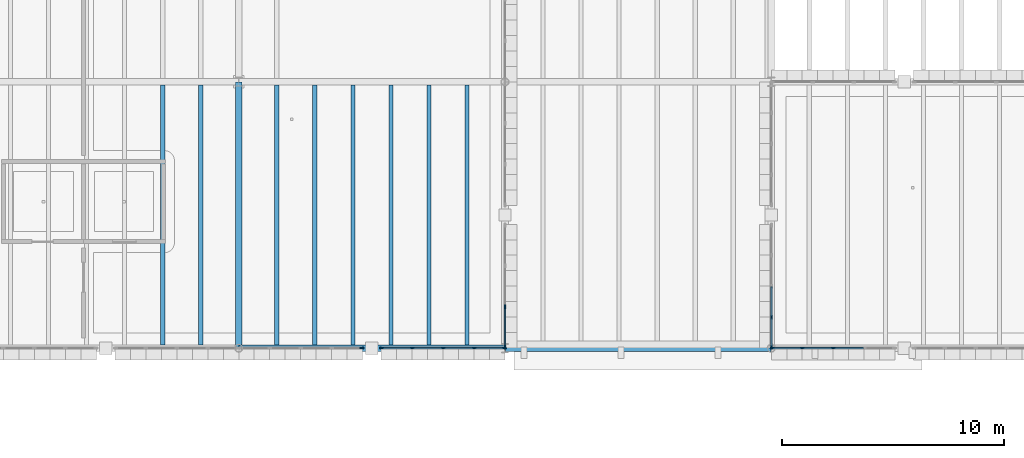
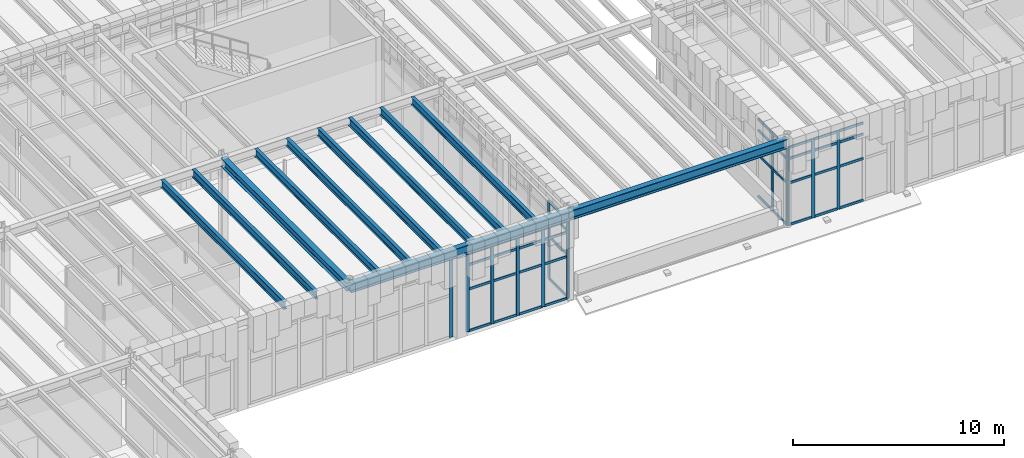
# One storey, part 21 of 100: 53 members, 11 beams, 5 elements without a shape of their own.
"""IFC4 building model written with IfcOpenShell, lengths in metres."""

from ifc_helpers import new_model, si_unit, direction, frame, origin, origin_2d, place, context, subcontext, project, spatial, rectangle, i_section, extrude, material, layer, layer_set, material_profile, profile_set, type_object, element, aggregate, save


model = new_model("IFC4")

# Units and contexts
model_context = context("Model", 3, precision=1e-05, world=origin(), true_north=direction((0.0, 1.0)))
body_context = subcontext(model_context, "Body", "Model", "MODEL_VIEW")
ifc_project = project(units=[si_unit("LENGTHUNIT", "METRE"), si_unit("AREAUNIT", "SQUARE_METRE"), si_unit("VOLUMEUNIT", "CUBIC_METRE"), si_unit("PLANEANGLEUNIT", "RADIAN"), si_unit("MASSUNIT", "GRAM", prefix="KILO")], contexts=[model_context])

# Site, building, storey
site_placement = place(None, origin())
site = spatial("IfcSite", under=ifc_project, at=site_placement, CompositionType="ELEMENT")
building_placement = place(site_placement, origin())
building = spatial("IfcBuilding", under=site, at=building_placement, Name="Zlatogorsky Bluff Art Gallery", CompositionType="ELEMENT")
storey_placement = place(building_placement, frame((0.0, 0.0, 5.39990234375)))
storey = spatial("IfcBuildingStorey", under=building, at=storey_placement, Name="L01", CompositionType="ELEMENT", Elevation=5.39990234375)

# Beams
ifc_material_1 = material(Name="Steel S355", Category="steel")
ifc_material_profile_1 = material_profile(ifc_material_1, i_section(OverallWidth=0.300048828125, OverallDepth=0.5400390625, WebThickness=0.012451171875, FlangeThickness=0.02392578125, FilletRadius=0.027099609375, at=origin_2d()), Name="HEA 550")
ifc_profile_set_1 = profile_set([ifc_material_profile_1], Name="Steel S355")
beam_type_1 = type_object("IfcBeamType", Name="Beam BM-06 HEA 550", PredefinedType="BEAM", material=ifc_profile_set_1)
for number, where, z_axis, x_axis, name in (
    (1, (36.014892578125, 84.0, 4.840087890625), (1.0, 0.0, 0.0), (0.0, 1.0, 0.0), "Primary girder BM-06 L01 D-E/9"),
    (2, (48.014892578125, 84.0, 4.840087890625), (1.0, 0.0, 0.0), (0.0, 1.0, 0.0), "Primary girder BM-06 L01 E-F/9"),
):
    element("IfcBeam", number, at=place(storey_placement, frame(where, z_axis=z_axis, x_axis=x_axis)), inside=storey, type_object=beam_type_1, Name=name, PredefinedType="BEAM", context=body_context, shape_type="SweptSolid", body=[
        extrude(i_section(OverallWidth=0.300048828125, OverallDepth=0.5400390625, WebThickness=0.012451171875, FlangeThickness=0.02392578125, FilletRadius=0.027099609375, at=origin_2d()), origin(), (0.0, 0.0, 1.0), 11.97021484375),
    ])
ifc_material_profile_2 = material_profile(ifc_material_1, i_section(OverallWidth=0.300048828125, OverallDepth=0.489990234375, WebThickness=0.011962890625, FlangeThickness=0.02294921875, FilletRadius=0.027099609375, at=origin_2d()), Name="HEA 500")
ifc_profile_set_2 = profile_set([ifc_material_profile_2], Name="Steel S355")
beam_type_2 = type_object("IfcBeamType", Name="Beam BM-07 HEA 500", PredefinedType="BEAM", material=ifc_profile_set_2)
beam_placement = place(storey_placement, frame((36.0, 84.014892578125, 4.864990234375), z_axis=(0.0, 1.0, 0.0), x_axis=(-1.0, 0.0, 0.0)))
element("IfcBeam", 3, at=beam_placement, inside=storey, type_object=beam_type_2, Name="Primary girder BM-07 L01 D/9-10", PredefinedType="BEAM", context=body_context, shape_type="SweptSolid", body=[
    extrude(i_section(OverallWidth=0.300048828125, OverallDepth=0.489990234375, WebThickness=0.011962890625, FlangeThickness=0.02294921875, FilletRadius=0.027099609375, at=origin_2d()), origin(), (0.0, 0.0, 1.0), 11.97021484375),
])
ifc_material_profile_3 = material_profile(ifc_material_1, i_section(OverallWidth=0.18994140625, OverallDepth=0.449951171875, WebThickness=0.009521484375, FlangeThickness=0.0146484375, FilletRadius=0.02099609375, at=origin_2d()), Name="IPE 450")
ifc_profile_set_3 = profile_set([ifc_material_profile_3], Name="Steel S355")
beam_type_3 = type_object("IfcBeamType", Name="Beam JS-06 IPE 450", PredefinedType="JOIST", material=ifc_profile_set_3)
for number, where, z_axis, x_axis, name in (
    (4, (32.571533203125, 84.14990234375, 4.885009765625), (0.0, 1.0, 0.0), (-1.0, 0.0, 0.0), "Composite floor joist JS-06 L01 02.08.5"),
    (5, (34.28564453125, 84.14990234375, 4.885009765625), (0.0, 1.0, 0.0), (-1.0, 0.0, 0.0), "Composite floor joist JS-06 L01 02.08.6"),
    (6, (37.71435546875, 84.14990234375, 4.885009765625), (0.0, 1.0, 0.0), (-1.0, 0.0, 0.0), "Composite floor joist JS-06 L01 03.08.1"),
    (7, (39.428466796875, 84.14990234375, 4.885009765625), (0.0, 1.0, 0.0), (-1.0, 0.0, 0.0), "Composite floor joist JS-06 L01 03.08.2"),
    (8, (41.142822265625, 84.14990234375, 4.885009765625), (0.0, 1.0, 0.0), (-1.0, 0.0, 0.0), "Composite floor joist JS-06 L01 03.08.3"),
    (9, (42.857177734375, 84.14990234375, 4.885009765625), (0.0, 1.0, 0.0), (-1.0, 0.0, 0.0), "Composite floor joist JS-06 L01 03.08.4"),
    (10, (44.571533203125, 84.14990234375, 4.885009765625), (0.0, 1.0, 0.0), (-1.0, 0.0, 0.0), "Composite floor joist JS-06 L01 03.08.5"),
    (11, (46.28564453125, 84.14990234375, 4.885009765625), (0.0, 1.0, 0.0), (-1.0, 0.0, 0.0), "Composite floor joist JS-06 L01 03.08.6"),
):
    element("IfcBeam", number, at=place(storey_placement, frame(where, z_axis=z_axis, x_axis=x_axis)), inside=storey, type_object=beam_type_3, Name=name, PredefinedType="JOIST", context=body_context, shape_type="SweptSolid", body=[
        extrude(i_section(OverallWidth=0.18994140625, OverallDepth=0.449951171875, WebThickness=0.009521484375, FlangeThickness=0.0146484375, FilletRadius=0.02099609375, at=origin_2d()), origin(), (0.0, 0.0, 1.0), 11.7001953125),
    ])

# Curtain wall, member
ifc_material_2 = material(Name="Anodised Bronze Aluminium and Low-Iron Triple Glazing", Category="aluminium")
ifc_layer_1 = layer(ifc_material_2, 0.199951171875)
ifc_layer_set_1 = layer_set([ifc_layer_1], Name="Curtain Wall CW-02")
curtain_wall_type_1 = type_object("IfcCurtainWallType", Name="Curtain Wall CW-02", PredefinedType="USERDEFINED", material=ifc_layer_set_1)
curtain_wall_1_placement = place(storey_placement, origin())
curtain_wall_1 = element("IfcCurtainWall", 12, at=curtain_wall_1_placement, inside=storey, type_object=curtain_wall_type_1, Name="Unitised curtain wall CW-02 L01 S 3.8-A", ObjectType="CURTAIN WALL", PredefinedType="USERDEFINED")
ifc_material_3 = material(Name="Anodised Bronze Aluminium", Category="aluminium")
ifc_material_profile_4 = material_profile(ifc_material_3, rectangle(XDim=0.06494140625, YDim=0.179931640625, at=origin_2d()), Name="ALU MULLION 65x180")
ifc_profile_set_4 = profile_set([ifc_material_profile_4], Name="Anodised Bronze Aluminium")
member_type_1 = type_object("IfcMemberType", Name="Curtain Mullion ML-01", PredefinedType="MULLION", material=ifc_profile_set_4)
member_1_placement = place(storey_placement, frame((41.547607421875, 84.0, 0.0), z_axis=(0.0, 0.0, 1.0), x_axis=(0.0, 1.0, 0.0)))
member_1 = element("IfcMember", 13, at=member_1_placement, type_object=member_type_1, Name="CW-02 mullion 5", PredefinedType="MULLION", context=body_context, shape_type="SweptSolid", body=[
    extrude(rectangle(XDim=0.06494140625, YDim=0.179931640625, at=origin_2d()), origin(), (0.0, 0.0, 1.0), 4.530029296875),
])
aggregate(curtain_wall_1, [member_1])

# Curtain wall, members
curtain_wall_2_placement = place(storey_placement, origin())
curtain_wall_2 = element("IfcCurtainWall", 14, at=curtain_wall_2_placement, inside=storey, type_object=curtain_wall_type_1, Name="Unitised curtain wall CW-02 L01 S 3.8-B", ObjectType="CURTAIN WALL", PredefinedType="USERDEFINED")
member_2_placement = place(storey_placement, frame((42.452392578125, 84.0, 0.0), z_axis=(0.0, 0.0, 1.0), x_axis=(0.0, 1.0, 0.0)))
member_2 = element("IfcMember", 15, at=member_2_placement, type_object=member_type_1, Name="CW-02 mullion 1", PredefinedType="MULLION", context=body_context, shape_type="SweptSolid", body=[
    extrude(rectangle(XDim=0.06494140625, YDim=0.179931640625, at=origin_2d()), origin(), (0.0, 0.0, 1.0), 4.530029296875),
])
member_3_placement = place(storey_placement, frame((43.81494140625, 84.0, 0.0), z_axis=(0.0, 0.0, 1.0), x_axis=(0.0, 1.0, 0.0)))
member_3 = element("IfcMember", 16, at=member_3_placement, type_object=member_type_1, Name="CW-02 mullion 2", PredefinedType="MULLION", context=body_context, shape_type="SweptSolid", body=[
    extrude(rectangle(XDim=0.06494140625, YDim=0.179931640625, at=origin_2d()), origin(), (0.0, 0.0, 1.0), 4.530029296875),
])
member_4_placement = place(storey_placement, frame((45.2099609375, 84.0, 0.0), z_axis=(0.0, 0.0, 1.0), x_axis=(0.0, 1.0, 0.0)))
member_4 = element("IfcMember", 17, at=member_4_placement, type_object=member_type_1, Name="CW-02 mullion 3", PredefinedType="MULLION", context=body_context, shape_type="SweptSolid", body=[
    extrude(rectangle(XDim=0.06494140625, YDim=0.179931640625, at=origin_2d()), origin(), (0.0, 0.0, 1.0), 4.530029296875),
])
member_5_placement = place(storey_placement, frame((46.60498046875, 84.0, 0.0), z_axis=(0.0, 0.0, 1.0), x_axis=(0.0, 1.0, 0.0)))
member_5 = element("IfcMember", 18, at=member_5_placement, type_object=member_type_1, Name="CW-02 mullion 4", PredefinedType="MULLION", context=body_context, shape_type="SweptSolid", body=[
    extrude(rectangle(XDim=0.06494140625, YDim=0.179931640625, at=origin_2d()), origin(), (0.0, 0.0, 1.0), 4.530029296875),
])
member_6_placement = place(storey_placement, frame((47.967529296875, 84.0, 0.0), z_axis=(0.0, 0.0, 1.0), x_axis=(0.0, 1.0, 0.0)))
member_6 = element("IfcMember", 19, at=member_6_placement, type_object=member_type_1, Name="CW-02 mullion 5", PredefinedType="MULLION", context=body_context, shape_type="SweptSolid", body=[
    extrude(rectangle(XDim=0.06494140625, YDim=0.179931640625, at=origin_2d()), origin(), (0.0, 0.0, 1.0), 4.530029296875),
])

ifc_layer_2 = layer(ifc_material_2, 0.219970703125)
ifc_layer_set_2 = layer_set([ifc_layer_2], Name="Curtain Wall CW-04")
curtain_wall_type_2 = type_object("IfcCurtainWallType", Name="Curtain Wall CW-04", PredefinedType="USERDEFINED", material=ifc_layer_set_2)
curtain_wall_3_placement = place(storey_placement, origin())
curtain_wall_3 = element("IfcCurtainWall", 20, at=curtain_wall_3_placement, inside=storey, type_object=curtain_wall_type_2, Name="Unitised curtain wall CW-04 L01 E 3.8-A", ObjectType="CURTAIN WALL", PredefinedType="USERDEFINED")
member_7_placement = place(storey_placement, frame((48.0, 84.032470703125, 0.0), z_axis=(0.0, 0.0, 1.0), x_axis=(-1.0, 0.0, 0.0)))
member_7 = element("IfcMember", 21, at=member_7_placement, type_object=member_type_1, Name="CW-04 mullion 1", PredefinedType="MULLION", context=body_context, shape_type="SweptSolid", body=[
    extrude(rectangle(XDim=0.06494140625, YDim=0.179931640625, at=origin_2d()), origin(), (0.0, 0.0, 1.0), 4.530029296875),
])
member_8_placement = place(storey_placement, frame((48.0, 85.860107421875, 0.0), z_axis=(0.0, 0.0, 1.0), x_axis=(-1.0, 0.0, 0.0)))
member_8 = element("IfcMember", 22, at=member_8_placement, type_object=member_type_1, Name="CW-04 mullion 2", PredefinedType="MULLION", context=body_context, shape_type="SweptSolid", body=[
    extrude(rectangle(XDim=0.06494140625, YDim=0.179931640625, at=origin_2d()), origin(), (0.0, 0.0, 1.0), 4.530029296875),
])

curtain_wall_4_placement = place(storey_placement, origin())
curtain_wall_4 = element("IfcCurtainWall", 23, at=curtain_wall_4_placement, inside=storey, type_object=curtain_wall_type_1, Name="Unitised curtain wall CW-02 L01 S 5.8-A", ObjectType="CURTAIN WALL", PredefinedType="USERDEFINED")
member_9_placement = place(storey_placement, frame((60.032470703125, 84.0, 0.0), z_axis=(0.0, 0.0, 1.0), x_axis=(0.0, 1.0, 0.0)))
member_9 = element("IfcMember", 24, at=member_9_placement, type_object=member_type_1, Name="CW-02 mullion 1", PredefinedType="MULLION", context=body_context, shape_type="SweptSolid", body=[
    extrude(rectangle(XDim=0.06494140625, YDim=0.179931640625, at=origin_2d()), origin(), (0.0, 0.0, 1.0), 4.530029296875),
])
member_10_placement = place(storey_placement, frame((61.39501953125, 84.0, 0.0), z_axis=(0.0, 0.0, 1.0), x_axis=(0.0, 1.0, 0.0)))
member_10 = element("IfcMember", 25, at=member_10_placement, type_object=member_type_1, Name="CW-02 mullion 2", PredefinedType="MULLION", context=body_context, shape_type="SweptSolid", body=[
    extrude(rectangle(XDim=0.06494140625, YDim=0.179931640625, at=origin_2d()), origin(), (0.0, 0.0, 1.0), 4.530029296875),
])
member_11_placement = place(storey_placement, frame((62.7900390625, 84.0, 0.0), z_axis=(0.0, 0.0, 1.0), x_axis=(0.0, 1.0, 0.0)))
member_11 = element("IfcMember", 26, at=member_11_placement, type_object=member_type_1, Name="CW-02 mullion 3", PredefinedType="MULLION", context=body_context, shape_type="SweptSolid", body=[
    extrude(rectangle(XDim=0.06494140625, YDim=0.179931640625, at=origin_2d()), origin(), (0.0, 0.0, 1.0), 4.530029296875),
])

curtain_wall_5_placement = place(storey_placement, origin())
curtain_wall_5 = element("IfcCurtainWall", 27, at=curtain_wall_5_placement, inside=storey, type_object=curtain_wall_type_1, Name="Unitised curtain wall CW-02 L01 W 5.8-B", ObjectType="CURTAIN WALL", PredefinedType="USERDEFINED")
member_12_placement = place(storey_placement, frame((60.0, 85.39501953125, 0.0), z_axis=(0.0, 0.0, 1.0), x_axis=(1.0, 0.0, 0.0)))
member_12 = element("IfcMember", 28, at=member_12_placement, type_object=member_type_1, Name="CW-02 mullion 4", PredefinedType="MULLION", context=body_context, shape_type="SweptSolid", body=[
    extrude(rectangle(XDim=0.06494140625, YDim=0.179931640625, at=origin_2d()), origin(), (0.0, 0.0, 1.0), 4.530029296875),
])
member_13_placement = place(storey_placement, frame((60.0, 84.032470703125, 0.0), z_axis=(0.0, 0.0, 1.0), x_axis=(1.0, 0.0, 0.0)))
member_13 = element("IfcMember", 29, at=member_13_placement, type_object=member_type_1, Name="CW-02 mullion 5", PredefinedType="MULLION", context=body_context, shape_type="SweptSolid", body=[
    extrude(rectangle(XDim=0.06494140625, YDim=0.179931640625, at=origin_2d()), origin(), (0.0, 0.0, 1.0), 4.530029296875),
])

# Member
ifc_material_profile_5 = material_profile(ifc_material_3, rectangle(XDim=0.06494140625, YDim=0.139892578125, at=origin_2d()), Name="ALU TRANSOM 65x140")
ifc_profile_set_5 = profile_set([ifc_material_profile_5], Name="Anodised Bronze Aluminium")
member_type_2 = type_object("IfcMemberType", Name="Curtain Transom TR-01", PredefinedType="USERDEFINED", material=ifc_profile_set_5)
member_14_placement = place(storey_placement, frame((42.485107421875, 84.0, 0.03271484375), z_axis=(1.0, 0.0, 0.0), x_axis=(0.0, 1.0, 0.0)))
member_14 = element("IfcMember", 30, at=member_14_placement, type_object=member_type_2, Name="CW-02 transom 1.1", ObjectType="TRANSOM", PredefinedType="USERDEFINED", context=body_context, shape_type="SweptSolid", body=[
    extrude(rectangle(XDim=0.06494140625, YDim=0.139892578125, at=origin_2d()), origin(), (0.0, 0.0, 1.0), 1.29736328125),
])

member_15_placement = place(storey_placement, frame((42.485107421875, 84.0, 2.4501953125), z_axis=(1.0, 0.0, 0.0), x_axis=(0.0, 1.0, 0.0)))
member_15 = element("IfcMember", 31, at=member_15_placement, type_object=member_type_2, Name="CW-02 transom 1.2", ObjectType="TRANSOM", PredefinedType="USERDEFINED", context=body_context, shape_type="SweptSolid", body=[
    extrude(rectangle(XDim=0.06494140625, YDim=0.139892578125, at=origin_2d()), origin(), (0.0, 0.0, 1.0), 1.29736328125),
])

member_16_placement = place(storey_placement, frame((42.485107421875, 84.0, 3.85009765625), z_axis=(1.0, 0.0, 0.0), x_axis=(0.0, 1.0, 0.0)))
member_16 = element("IfcMember", 32, at=member_16_placement, type_object=member_type_2, Name="CW-02 transom 1.3", ObjectType="TRANSOM", PredefinedType="USERDEFINED", context=body_context, shape_type="SweptSolid", body=[
    extrude(rectangle(XDim=0.06494140625, YDim=0.139892578125, at=origin_2d()), origin(), (0.0, 0.0, 1.0), 1.29736328125),
])

member_17_placement = place(storey_placement, frame((42.485107421875, 84.0, 4.49755859375), z_axis=(1.0, 0.0, 0.0), x_axis=(0.0, 1.0, 0.0)))
member_17 = element("IfcMember", 33, at=member_17_placement, type_object=member_type_2, Name="CW-02 transom 1.4", ObjectType="TRANSOM", PredefinedType="USERDEFINED", context=body_context, shape_type="SweptSolid", body=[
    extrude(rectangle(XDim=0.06494140625, YDim=0.139892578125, at=origin_2d()), origin(), (0.0, 0.0, 1.0), 1.29736328125),
])

member_18_placement = place(storey_placement, frame((43.847412109375, 84.0, 0.03271484375), z_axis=(1.0, 0.0, 0.0), x_axis=(0.0, 1.0, 0.0)))
member_18 = element("IfcMember", 34, at=member_18_placement, type_object=member_type_2, Name="CW-02 transom 2.1", ObjectType="TRANSOM", PredefinedType="USERDEFINED", context=body_context, shape_type="SweptSolid", body=[
    extrude(rectangle(XDim=0.06494140625, YDim=0.139892578125, at=origin_2d()), origin(), (0.0, 0.0, 1.0), 1.330078125),
])

member_19_placement = place(storey_placement, frame((43.847412109375, 84.0, 2.4501953125), z_axis=(1.0, 0.0, 0.0), x_axis=(0.0, 1.0, 0.0)))
member_19 = element("IfcMember", 35, at=member_19_placement, type_object=member_type_2, Name="CW-02 transom 2.2", ObjectType="TRANSOM", PredefinedType="USERDEFINED", context=body_context, shape_type="SweptSolid", body=[
    extrude(rectangle(XDim=0.06494140625, YDim=0.139892578125, at=origin_2d()), origin(), (0.0, 0.0, 1.0), 1.330078125),
])

member_20_placement = place(storey_placement, frame((43.847412109375, 84.0, 3.85009765625), z_axis=(1.0, 0.0, 0.0), x_axis=(0.0, 1.0, 0.0)))
member_20 = element("IfcMember", 36, at=member_20_placement, type_object=member_type_2, Name="CW-02 transom 2.3", ObjectType="TRANSOM", PredefinedType="USERDEFINED", context=body_context, shape_type="SweptSolid", body=[
    extrude(rectangle(XDim=0.06494140625, YDim=0.139892578125, at=origin_2d()), origin(), (0.0, 0.0, 1.0), 1.330078125),
])

member_21_placement = place(storey_placement, frame((43.847412109375, 84.0, 4.49755859375), z_axis=(1.0, 0.0, 0.0), x_axis=(0.0, 1.0, 0.0)))
member_21 = element("IfcMember", 37, at=member_21_placement, type_object=member_type_2, Name="CW-02 transom 2.4", ObjectType="TRANSOM", PredefinedType="USERDEFINED", context=body_context, shape_type="SweptSolid", body=[
    extrude(rectangle(XDim=0.06494140625, YDim=0.139892578125, at=origin_2d()), origin(), (0.0, 0.0, 1.0), 1.330078125),
])

member_22_placement = place(storey_placement, frame((45.242431640625, 84.0, 0.03271484375), z_axis=(1.0, 0.0, 0.0), x_axis=(0.0, 1.0, 0.0)))
member_22 = element("IfcMember", 38, at=member_22_placement, type_object=member_type_2, Name="CW-02 transom 3.1", ObjectType="TRANSOM", PredefinedType="USERDEFINED", context=body_context, shape_type="SweptSolid", body=[
    extrude(rectangle(XDim=0.06494140625, YDim=0.139892578125, at=origin_2d()), origin(), (0.0, 0.0, 1.0), 1.330078125),
])

member_23_placement = place(storey_placement, frame((45.242431640625, 84.0, 2.4501953125), z_axis=(1.0, 0.0, 0.0), x_axis=(0.0, 1.0, 0.0)))
member_23 = element("IfcMember", 39, at=member_23_placement, type_object=member_type_2, Name="CW-02 transom 3.2", ObjectType="TRANSOM", PredefinedType="USERDEFINED", context=body_context, shape_type="SweptSolid", body=[
    extrude(rectangle(XDim=0.06494140625, YDim=0.139892578125, at=origin_2d()), origin(), (0.0, 0.0, 1.0), 1.330078125),
])

member_24_placement = place(storey_placement, frame((45.242431640625, 84.0, 3.85009765625), z_axis=(1.0, 0.0, 0.0), x_axis=(0.0, 1.0, 0.0)))
member_24 = element("IfcMember", 40, at=member_24_placement, type_object=member_type_2, Name="CW-02 transom 3.3", ObjectType="TRANSOM", PredefinedType="USERDEFINED", context=body_context, shape_type="SweptSolid", body=[
    extrude(rectangle(XDim=0.06494140625, YDim=0.139892578125, at=origin_2d()), origin(), (0.0, 0.0, 1.0), 1.330078125),
])

member_25_placement = place(storey_placement, frame((45.242431640625, 84.0, 4.49755859375), z_axis=(1.0, 0.0, 0.0), x_axis=(0.0, 1.0, 0.0)))
member_25 = element("IfcMember", 41, at=member_25_placement, type_object=member_type_2, Name="CW-02 transom 3.4", ObjectType="TRANSOM", PredefinedType="USERDEFINED", context=body_context, shape_type="SweptSolid", body=[
    extrude(rectangle(XDim=0.06494140625, YDim=0.139892578125, at=origin_2d()), origin(), (0.0, 0.0, 1.0), 1.330078125),
])

member_26_placement = place(storey_placement, frame((46.637451171875, 84.0, 0.03271484375), z_axis=(1.0, 0.0, 0.0), x_axis=(0.0, 1.0, 0.0)))
member_26 = element("IfcMember", 42, at=member_26_placement, type_object=member_type_2, Name="CW-02 transom 4.1", ObjectType="TRANSOM", PredefinedType="USERDEFINED", context=body_context, shape_type="SweptSolid", body=[
    extrude(rectangle(XDim=0.06494140625, YDim=0.139892578125, at=origin_2d()), origin(), (0.0, 0.0, 1.0), 1.297607421875),
])

member_27_placement = place(storey_placement, frame((46.637451171875, 84.0, 2.4501953125), z_axis=(1.0, 0.0, 0.0), x_axis=(0.0, 1.0, 0.0)))
member_27 = element("IfcMember", 43, at=member_27_placement, type_object=member_type_2, Name="CW-02 transom 4.2", ObjectType="TRANSOM", PredefinedType="USERDEFINED", context=body_context, shape_type="SweptSolid", body=[
    extrude(rectangle(XDim=0.06494140625, YDim=0.139892578125, at=origin_2d()), origin(), (0.0, 0.0, 1.0), 1.297607421875),
])

member_28_placement = place(storey_placement, frame((46.637451171875, 84.0, 3.85009765625), z_axis=(1.0, 0.0, 0.0), x_axis=(0.0, 1.0, 0.0)))
member_28 = element("IfcMember", 44, at=member_28_placement, type_object=member_type_2, Name="CW-02 transom 4.3", ObjectType="TRANSOM", PredefinedType="USERDEFINED", context=body_context, shape_type="SweptSolid", body=[
    extrude(rectangle(XDim=0.06494140625, YDim=0.139892578125, at=origin_2d()), origin(), (0.0, 0.0, 1.0), 1.297607421875),
])

member_29_placement = place(storey_placement, frame((46.637451171875, 84.0, 4.49755859375), z_axis=(1.0, 0.0, 0.0), x_axis=(0.0, 1.0, 0.0)))
member_29 = element("IfcMember", 45, at=member_29_placement, type_object=member_type_2, Name="CW-02 transom 4.4", ObjectType="TRANSOM", PredefinedType="USERDEFINED", context=body_context, shape_type="SweptSolid", body=[
    extrude(rectangle(XDim=0.06494140625, YDim=0.139892578125, at=origin_2d()), origin(), (0.0, 0.0, 1.0), 1.297607421875),
])

aggregate(curtain_wall_2, [member_2, member_3, member_4, member_5, member_6, member_14, member_15, member_16, member_17, member_18, member_19, member_20, member_21, member_22, member_23, member_24, member_25, member_26, member_27, member_28, member_29])

member_30_placement = place(storey_placement, frame((48.0, 84.06494140625, 0.03271484375), z_axis=(0.0, 1.0, 0.0), x_axis=(-1.0, 0.0, 0.0)))
member_30 = element("IfcMember", 46, at=member_30_placement, type_object=member_type_2, Name="CW-04 transom 1.1", ObjectType="TRANSOM", PredefinedType="USERDEFINED", context=body_context, shape_type="SweptSolid", body=[
    extrude(rectangle(XDim=0.06494140625, YDim=0.139892578125, at=origin_2d()), origin(), (0.0, 0.0, 1.0), 1.762451171875),
])

member_31_placement = place(storey_placement, frame((48.0, 84.06494140625, 2.4501953125), z_axis=(0.0, 1.0, 0.0), x_axis=(-1.0, 0.0, 0.0)))
member_31 = element("IfcMember", 47, at=member_31_placement, type_object=member_type_2, Name="CW-04 transom 1.2", ObjectType="TRANSOM", PredefinedType="USERDEFINED", context=body_context, shape_type="SweptSolid", body=[
    extrude(rectangle(XDim=0.06494140625, YDim=0.139892578125, at=origin_2d()), origin(), (0.0, 0.0, 1.0), 1.762451171875),
])

member_32_placement = place(storey_placement, frame((48.0, 84.06494140625, 3.85009765625), z_axis=(0.0, 1.0, 0.0), x_axis=(-1.0, 0.0, 0.0)))
member_32 = element("IfcMember", 48, at=member_32_placement, type_object=member_type_2, Name="CW-04 transom 1.3", ObjectType="TRANSOM", PredefinedType="USERDEFINED", context=body_context, shape_type="SweptSolid", body=[
    extrude(rectangle(XDim=0.06494140625, YDim=0.139892578125, at=origin_2d()), origin(), (0.0, 0.0, 1.0), 1.762451171875),
])

member_33_placement = place(storey_placement, frame((48.0, 84.06494140625, 4.49755859375), z_axis=(0.0, 1.0, 0.0), x_axis=(-1.0, 0.0, 0.0)))
member_33 = element("IfcMember", 49, at=member_33_placement, type_object=member_type_2, Name="CW-04 transom 1.4", ObjectType="TRANSOM", PredefinedType="USERDEFINED", context=body_context, shape_type="SweptSolid", body=[
    extrude(rectangle(XDim=0.06494140625, YDim=0.139892578125, at=origin_2d()), origin(), (0.0, 0.0, 1.0), 1.762451171875),
])

aggregate(curtain_wall_3, [member_7, member_8, member_30, member_31, member_32, member_33])

member_34_placement = place(storey_placement, frame((60.06494140625, 84.0, 0.03271484375), z_axis=(1.0, 0.0, 0.0), x_axis=(0.0, 1.0, 0.0)))
member_34 = element("IfcMember", 50, at=member_34_placement, type_object=member_type_2, Name="CW-02 transom 1.1", ObjectType="TRANSOM", PredefinedType="USERDEFINED", context=body_context, shape_type="SweptSolid", body=[
    extrude(rectangle(XDim=0.06494140625, YDim=0.139892578125, at=origin_2d()), origin(), (0.0, 0.0, 1.0), 1.297607421875),
])

member_35_placement = place(storey_placement, frame((60.06494140625, 84.0, 2.4501953125), z_axis=(1.0, 0.0, 0.0), x_axis=(0.0, 1.0, 0.0)))
member_35 = element("IfcMember", 51, at=member_35_placement, type_object=member_type_2, Name="CW-02 transom 1.2", ObjectType="TRANSOM", PredefinedType="USERDEFINED", context=body_context, shape_type="SweptSolid", body=[
    extrude(rectangle(XDim=0.06494140625, YDim=0.139892578125, at=origin_2d()), origin(), (0.0, 0.0, 1.0), 1.297607421875),
])

member_36_placement = place(storey_placement, frame((60.06494140625, 84.0, 3.85009765625), z_axis=(1.0, 0.0, 0.0), x_axis=(0.0, 1.0, 0.0)))
member_36 = element("IfcMember", 52, at=member_36_placement, type_object=member_type_2, Name="CW-02 transom 1.3", ObjectType="TRANSOM", PredefinedType="USERDEFINED", context=body_context, shape_type="SweptSolid", body=[
    extrude(rectangle(XDim=0.06494140625, YDim=0.139892578125, at=origin_2d()), origin(), (0.0, 0.0, 1.0), 1.297607421875),
])

member_37_placement = place(storey_placement, frame((60.06494140625, 84.0, 4.49755859375), z_axis=(1.0, 0.0, 0.0), x_axis=(0.0, 1.0, 0.0)))
member_37 = element("IfcMember", 53, at=member_37_placement, type_object=member_type_2, Name="CW-02 transom 1.4", ObjectType="TRANSOM", PredefinedType="USERDEFINED", context=body_context, shape_type="SweptSolid", body=[
    extrude(rectangle(XDim=0.06494140625, YDim=0.139892578125, at=origin_2d()), origin(), (0.0, 0.0, 1.0), 1.297607421875),
])

member_38_placement = place(storey_placement, frame((61.427490234375, 84.0, 0.03271484375), z_axis=(1.0, 0.0, 0.0), x_axis=(0.0, 1.0, 0.0)))
member_38 = element("IfcMember", 54, at=member_38_placement, type_object=member_type_2, Name="CW-02 transom 2.1", ObjectType="TRANSOM", PredefinedType="USERDEFINED", context=body_context, shape_type="SweptSolid", body=[
    extrude(rectangle(XDim=0.06494140625, YDim=0.139892578125, at=origin_2d()), origin(), (0.0, 0.0, 1.0), 1.330078125),
])

member_39_placement = place(storey_placement, frame((61.427490234375, 84.0, 2.4501953125), z_axis=(1.0, 0.0, 0.0), x_axis=(0.0, 1.0, 0.0)))
member_39 = element("IfcMember", 55, at=member_39_placement, type_object=member_type_2, Name="CW-02 transom 2.2", ObjectType="TRANSOM", PredefinedType="USERDEFINED", context=body_context, shape_type="SweptSolid", body=[
    extrude(rectangle(XDim=0.06494140625, YDim=0.139892578125, at=origin_2d()), origin(), (0.0, 0.0, 1.0), 1.330078125),
])

member_40_placement = place(storey_placement, frame((61.427490234375, 84.0, 3.85009765625), z_axis=(1.0, 0.0, 0.0), x_axis=(0.0, 1.0, 0.0)))
member_40 = element("IfcMember", 56, at=member_40_placement, type_object=member_type_2, Name="CW-02 transom 2.3", ObjectType="TRANSOM", PredefinedType="USERDEFINED", context=body_context, shape_type="SweptSolid", body=[
    extrude(rectangle(XDim=0.06494140625, YDim=0.139892578125, at=origin_2d()), origin(), (0.0, 0.0, 1.0), 1.330078125),
])

member_41_placement = place(storey_placement, frame((61.427490234375, 84.0, 4.49755859375), z_axis=(1.0, 0.0, 0.0), x_axis=(0.0, 1.0, 0.0)))
member_41 = element("IfcMember", 57, at=member_41_placement, type_object=member_type_2, Name="CW-02 transom 2.4", ObjectType="TRANSOM", PredefinedType="USERDEFINED", context=body_context, shape_type="SweptSolid", body=[
    extrude(rectangle(XDim=0.06494140625, YDim=0.139892578125, at=origin_2d()), origin(), (0.0, 0.0, 1.0), 1.330078125),
])

member_42_placement = place(storey_placement, frame((62.822509765625, 84.0, 0.03271484375), z_axis=(1.0, 0.0, 0.0), x_axis=(0.0, 1.0, 0.0)))
member_42 = element("IfcMember", 58, at=member_42_placement, type_object=member_type_2, Name="CW-02 transom 3.1", ObjectType="TRANSOM", PredefinedType="USERDEFINED", context=body_context, shape_type="SweptSolid", body=[
    extrude(rectangle(XDim=0.06494140625, YDim=0.139892578125, at=origin_2d()), origin(), (0.0, 0.0, 1.0), 1.330078125),
])

member_43_placement = place(storey_placement, frame((62.822509765625, 84.0, 2.4501953125), z_axis=(1.0, 0.0, 0.0), x_axis=(0.0, 1.0, 0.0)))
member_43 = element("IfcMember", 59, at=member_43_placement, type_object=member_type_2, Name="CW-02 transom 3.2", ObjectType="TRANSOM", PredefinedType="USERDEFINED", context=body_context, shape_type="SweptSolid", body=[
    extrude(rectangle(XDim=0.06494140625, YDim=0.139892578125, at=origin_2d()), origin(), (0.0, 0.0, 1.0), 1.330078125),
])

member_44_placement = place(storey_placement, frame((62.822509765625, 84.0, 3.85009765625), z_axis=(1.0, 0.0, 0.0), x_axis=(0.0, 1.0, 0.0)))
member_44 = element("IfcMember", 60, at=member_44_placement, type_object=member_type_2, Name="CW-02 transom 3.3", ObjectType="TRANSOM", PredefinedType="USERDEFINED", context=body_context, shape_type="SweptSolid", body=[
    extrude(rectangle(XDim=0.06494140625, YDim=0.139892578125, at=origin_2d()), origin(), (0.0, 0.0, 1.0), 1.330078125),
])

member_45_placement = place(storey_placement, frame((62.822509765625, 84.0, 4.49755859375), z_axis=(1.0, 0.0, 0.0), x_axis=(0.0, 1.0, 0.0)))
member_45 = element("IfcMember", 61, at=member_45_placement, type_object=member_type_2, Name="CW-02 transom 3.4", ObjectType="TRANSOM", PredefinedType="USERDEFINED", context=body_context, shape_type="SweptSolid", body=[
    extrude(rectangle(XDim=0.06494140625, YDim=0.139892578125, at=origin_2d()), origin(), (0.0, 0.0, 1.0), 1.330078125),
])

aggregate(curtain_wall_4, [member_9, member_10, member_11, member_34, member_35, member_36, member_37, member_38, member_39, member_40, member_41, member_42, member_43, member_44, member_45])

member_46_placement = place(storey_placement, frame((60.0, 86.757568359375, 0.03271484375), z_axis=(0.0, -1.0, 0.0), x_axis=(1.0, 0.0, 0.0)))
member_46 = element("IfcMember", 62, at=member_46_placement, type_object=member_type_2, Name="CW-02 transom 3.1", ObjectType="TRANSOM", PredefinedType="USERDEFINED", context=body_context, shape_type="SweptSolid", body=[
    extrude(rectangle(XDim=0.06494140625, YDim=0.139892578125, at=origin_2d()), origin(), (0.0, 0.0, 1.0), 1.330078125),
])

member_47_placement = place(storey_placement, frame((60.0, 86.757568359375, 2.4501953125), z_axis=(0.0, -1.0, 0.0), x_axis=(1.0, 0.0, 0.0)))
member_47 = element("IfcMember", 63, at=member_47_placement, type_object=member_type_2, Name="CW-02 transom 3.2", ObjectType="TRANSOM", PredefinedType="USERDEFINED", context=body_context, shape_type="SweptSolid", body=[
    extrude(rectangle(XDim=0.06494140625, YDim=0.139892578125, at=origin_2d()), origin(), (0.0, 0.0, 1.0), 1.330078125),
])

member_48_placement = place(storey_placement, frame((60.0, 86.757568359375, 3.85009765625), z_axis=(0.0, -1.0, 0.0), x_axis=(1.0, 0.0, 0.0)))
member_48 = element("IfcMember", 64, at=member_48_placement, type_object=member_type_2, Name="CW-02 transom 3.3", ObjectType="TRANSOM", PredefinedType="USERDEFINED", context=body_context, shape_type="SweptSolid", body=[
    extrude(rectangle(XDim=0.06494140625, YDim=0.139892578125, at=origin_2d()), origin(), (0.0, 0.0, 1.0), 1.330078125),
])

member_49_placement = place(storey_placement, frame((60.0, 86.757568359375, 4.49755859375), z_axis=(0.0, -1.0, 0.0), x_axis=(1.0, 0.0, 0.0)))
member_49 = element("IfcMember", 65, at=member_49_placement, type_object=member_type_2, Name="CW-02 transom 3.4", ObjectType="TRANSOM", PredefinedType="USERDEFINED", context=body_context, shape_type="SweptSolid", body=[
    extrude(rectangle(XDim=0.06494140625, YDim=0.139892578125, at=origin_2d()), origin(), (0.0, 0.0, 1.0), 1.330078125),
])

member_50_placement = place(storey_placement, frame((60.0, 85.362548828125, 0.03271484375), z_axis=(0.0, -1.0, 0.0), x_axis=(1.0, 0.0, 0.0)))
member_50 = element("IfcMember", 66, at=member_50_placement, type_object=member_type_2, Name="CW-02 transom 4.1", ObjectType="TRANSOM", PredefinedType="USERDEFINED", context=body_context, shape_type="SweptSolid", body=[
    extrude(rectangle(XDim=0.06494140625, YDim=0.139892578125, at=origin_2d()), origin(), (0.0, 0.0, 1.0), 1.297607421875),
])

member_51_placement = place(storey_placement, frame((60.0, 85.362548828125, 2.4501953125), z_axis=(0.0, -1.0, 0.0), x_axis=(1.0, 0.0, 0.0)))
member_51 = element("IfcMember", 67, at=member_51_placement, type_object=member_type_2, Name="CW-02 transom 4.2", ObjectType="TRANSOM", PredefinedType="USERDEFINED", context=body_context, shape_type="SweptSolid", body=[
    extrude(rectangle(XDim=0.06494140625, YDim=0.139892578125, at=origin_2d()), origin(), (0.0, 0.0, 1.0), 1.297607421875),
])

member_52_placement = place(storey_placement, frame((60.0, 85.362548828125, 3.85009765625), z_axis=(0.0, -1.0, 0.0), x_axis=(1.0, 0.0, 0.0)))
member_52 = element("IfcMember", 68, at=member_52_placement, type_object=member_type_2, Name="CW-02 transom 4.3", ObjectType="TRANSOM", PredefinedType="USERDEFINED", context=body_context, shape_type="SweptSolid", body=[
    extrude(rectangle(XDim=0.06494140625, YDim=0.139892578125, at=origin_2d()), origin(), (0.0, 0.0, 1.0), 1.297607421875),
])

member_53_placement = place(storey_placement, frame((60.0, 85.362548828125, 4.49755859375), z_axis=(0.0, -1.0, 0.0), x_axis=(1.0, 0.0, 0.0)))
member_53 = element("IfcMember", 69, at=member_53_placement, type_object=member_type_2, Name="CW-02 transom 4.4", ObjectType="TRANSOM", PredefinedType="USERDEFINED", context=body_context, shape_type="SweptSolid", body=[
    extrude(rectangle(XDim=0.06494140625, YDim=0.139892578125, at=origin_2d()), origin(), (0.0, 0.0, 1.0), 1.297607421875),
])

aggregate(curtain_wall_5, [member_12, member_13, member_46, member_47, member_48, member_49, member_50, member_51, member_52, member_53])

save(model, "model.ifc")
